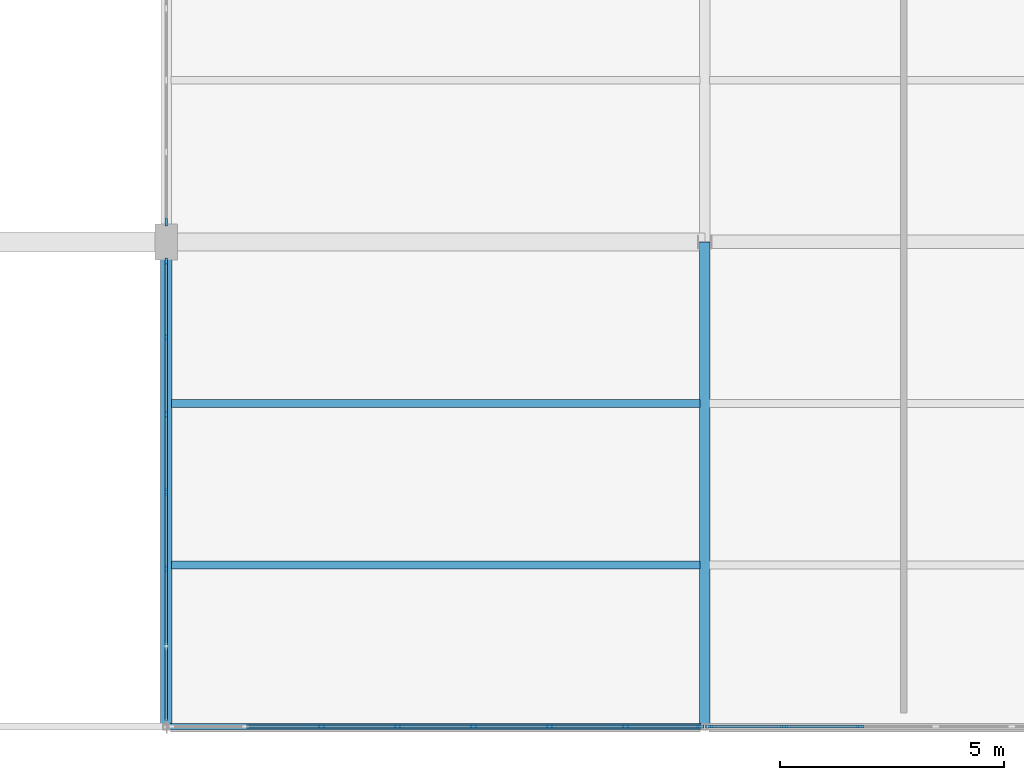
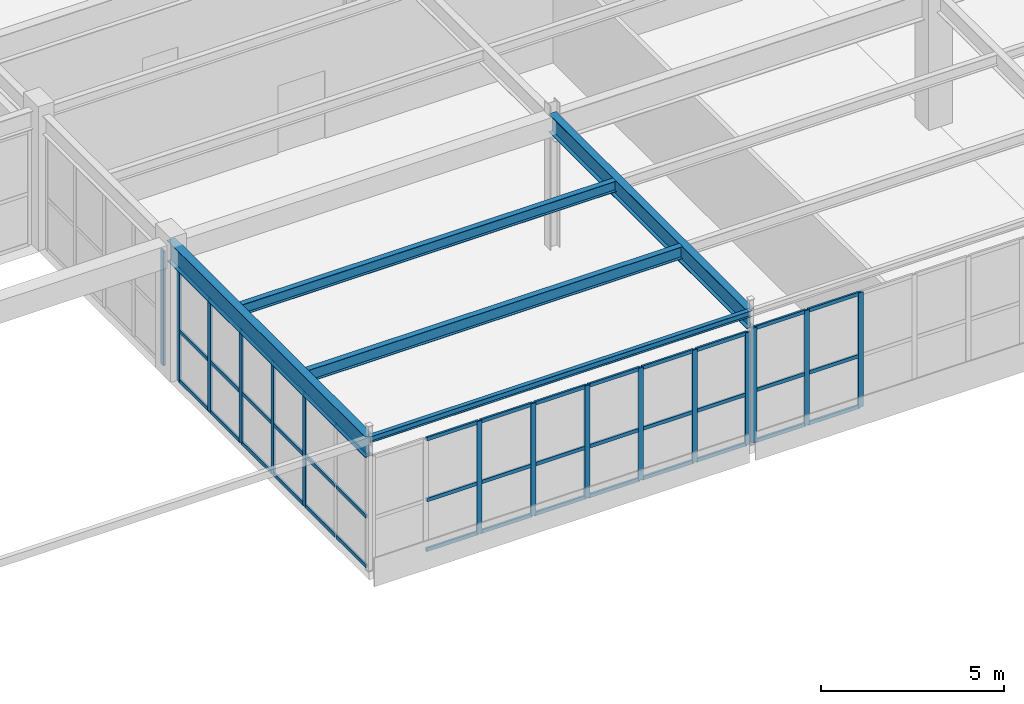
# One storey, part 85 of 186: 57 members, 5 beams, 4 elements without a shape of their own.
"""IFC4 building model written with IfcOpenShell, lengths in metres."""

from ifc_helpers import new_model, si_unit, direction, frame, origin, origin_2d, place, context, subcontext, project, spatial, rectangle, i_section, extrude, material, layer, layer_set, material_profile, profile_set, type_object, element, aggregate, save


model = new_model("IFC4")

# Units and contexts
model_context = context("Model", 3, precision=1e-05, world=origin(), true_north=direction((0.0, 1.0)))
body_context = subcontext(model_context, "Body", "Model", "MODEL_VIEW")
ifc_project = project(units=[si_unit("LENGTHUNIT", "METRE"), si_unit("AREAUNIT", "SQUARE_METRE"), si_unit("VOLUMEUNIT", "CUBIC_METRE"), si_unit("PLANEANGLEUNIT", "RADIAN"), si_unit("MASSUNIT", "GRAM", prefix="KILO")], contexts=[model_context])

# Site, building, storey
site_placement = place(None, origin())
site = spatial("IfcSite", under=ifc_project, at=site_placement, CompositionType="ELEMENT")
building_placement = place(site_placement, origin())
building = spatial("IfcBuilding", under=site, at=building_placement, Name="Tarnwether General Hospital", CompositionType="ELEMENT")
storey_placement = place(building_placement, frame((0.0, 0.0, 9.60009765625)))
storey = spatial("IfcBuildingStorey", under=building, at=storey_placement, Name="L02", CompositionType="ELEMENT", Elevation=9.60009765625)

# Beams
ifc_material_1 = material(Name="Steel Grade 350 (350 MPa)", Category="steel")
ifc_material_profile_1 = material_profile(ifc_material_1, i_section(OverallWidth=0.25, OverallDepth=0.69189453125, WebThickness=0.009033203125, FlangeThickness=0.01611328125, at=origin_2d()), Name="700WB115")
ifc_profile_set_1 = profile_set([ifc_material_profile_1], Name="Steel Grade 350 (350 MPa)")
beam_type_1 = type_object("IfcBeamType", Name="BM-G02", PredefinedType="BEAM", material=ifc_profile_set_1)
beam_1_placement = place(storey_placement, frame((144.0, 0.0, 4.098876953125), z_axis=(0.0, 1.0, 0.0), x_axis=(-1.0, 0.0, 0.0)))
element("IfcBeam", 1, at=beam_1_placement, inside=storey, type_object=beam_type_1, Name="Primary Girder BMG-L02-14400_0-14400_1080-1568", PredefinedType="BEAM", context=body_context, shape_type="SweptSolid", body=[
    extrude(i_section(OverallWidth=0.25, OverallDepth=0.69189453125, WebThickness=0.009033203125, FlangeThickness=0.01611328125, at=origin_2d()), origin(), (0.0, 0.0, 1.0), 10.800048828125),
])
ifc_material_2 = material(Name="Steel Grade 350 (350 MPa)", Category="steel")
ifc_material_profile_2 = material_profile(ifc_material_2, i_section(OverallWidth=0.22900390625, OverallDepth=0.612060546875, WebThickness=0.011962890625, FlangeThickness=0.01953125, at=origin_2d()), Name="610UB125")
ifc_profile_set_2 = profile_set([ifc_material_profile_2], Name="Steel Grade 350 (350 MPa)")
beam_type_2 = type_object("IfcBeamType", Name="BM-G03", PredefinedType="BEAM", material=ifc_profile_set_2)
beam_2_placement = place(storey_placement, frame((156.0, 0.0, 4.138916015625), z_axis=(0.0, 1.0, 0.0), x_axis=(-1.0, 0.0, 0.0)))
element("IfcBeam", 2, at=beam_2_placement, inside=storey, type_object=beam_type_2, Name="Primary Girder BMG-L02-15600_0-15600_1080-1589", PredefinedType="BEAM", context=body_context, shape_type="SweptSolid", body=[
    extrude(i_section(OverallWidth=0.22900390625, OverallDepth=0.612060546875, WebThickness=0.011962890625, FlangeThickness=0.01953125, at=origin_2d()), origin(), (0.0, 0.0, 1.0), 10.800048828125),
])
ifc_material_3 = material(Name="Steel Grade 350 (350 MPa)", Category="steel")
ifc_material_profile_3 = material_profile(ifc_material_3, i_section(OverallWidth=0.177978515625, OverallDepth=0.403076171875, WebThickness=0.007568359375, FlangeThickness=0.010986328125, at=origin_2d()), Name="410UB53.7")
ifc_profile_set_3 = profile_set([ifc_material_profile_3], Name="Steel Grade 350 (350 MPa)")
beam_type_3 = type_object("IfcBeamType", Name="BM-J02", PredefinedType="JOIST", material=ifc_profile_set_3)
beam_3_placement = place(storey_placement, frame((144.118896484375, 3.60009765625, 4.243408203125), z_axis=(1.0, 0.0, 0.0), x_axis=(0.0, 1.0, 0.0)))
element("IfcBeam", 3, at=beam_3_placement, inside=storey, type_object=beam_type_3, Name="Composite Floor Joist BMG-L02-14412_360-15589_360-1706", PredefinedType="JOIST", context=body_context, shape_type="SweptSolid", body=[
    extrude(i_section(OverallWidth=0.177978515625, OverallDepth=0.403076171875, WebThickness=0.007568359375, FlangeThickness=0.010986328125, at=origin_2d()), origin(), (0.0, 0.0, 1.0), 11.773193359375),
])
ifc_material_4 = material(Name="Steel Grade 350 (350 MPa)", Category="steel")
ifc_material_profile_4 = material_profile(ifc_material_4, i_section(OverallWidth=0.172119140625, OverallDepth=0.35888671875, WebThickness=0.008056640625, FlangeThickness=0.012939453125, at=origin_2d()), Name="360UB56.7")
ifc_profile_set_4 = profile_set([ifc_material_profile_4], Name="Steel Grade 350 (350 MPa)")
beam_type_4 = type_object("IfcBeamType", Name="BM-J03", PredefinedType="JOIST", material=ifc_profile_set_4)
beam_4_placement = place(storey_placement, frame((144.118896484375, 7.199951171875, 4.265380859375), z_axis=(1.0, 0.0, 0.0), x_axis=(0.0, 1.0, 0.0)))
element("IfcBeam", 4, at=beam_4_placement, inside=storey, type_object=beam_type_4, Name="Composite Floor Joist BMG-L02-14412_720-15589_720-1707", PredefinedType="JOIST", context=body_context, shape_type="SweptSolid", body=[
    extrude(i_section(OverallWidth=0.172119140625, OverallDepth=0.35888671875, WebThickness=0.008056640625, FlangeThickness=0.012939453125, at=origin_2d()), origin(), (0.0, 0.0, 1.0), 11.773193359375),
])
ifc_material_5 = material(Name="Steel Grade 350 (350 MPa)", Category="steel")
ifc_material_profile_5 = material_profile(ifc_material_5, i_section(OverallWidth=0.133056640625, OverallDepth=0.202880859375, WebThickness=0.005859375, FlangeThickness=0.0078125, at=origin_2d()), Name="200UB25.4")
ifc_profile_set_5 = profile_set([ifc_material_profile_5], Name="Steel Grade 350 (350 MPa)")
beam_type_5 = type_object("IfcBeamType", Name="BM-SP5", PredefinedType="SPANDREL", material=ifc_profile_set_5)
beam_5_placement = place(storey_placement, frame((144.0, 0.0, 4.343505859375), z_axis=(1.0, 0.0, 0.0), x_axis=(0.0, 1.0, 0.0)))
element("IfcBeam", 5, at=beam_5_placement, inside=storey, type_object=beam_type_5, Name="Primary Girder BMG-L02-14400_0-15600_0-1567", PredefinedType="SPANDREL", context=body_context, shape_type="SweptSolid", body=[
    extrude(i_section(OverallWidth=0.133056640625, OverallDepth=0.202880859375, WebThickness=0.005859375, FlangeThickness=0.0078125, at=origin_2d()), origin(), (0.0, 0.0, 1.0), 12.0),
])

# Curtain wall, members
ifc_material_6 = material(Name="Anodised aluminium", Category="aluminium")
ifc_layer_1 = layer(ifc_material_6, 0.159912109375)
ifc_layer_set_1 = layer_set([ifc_layer_1], Name="Anodised aluminium")
curtain_wall_type_1 = type_object("IfcCurtainWallType", Name="CW-15", PredefinedType="NOTDEFINED", material=ifc_layer_set_1)
curtain_wall_1_placement = place(storey_placement, origin())
curtain_wall_1 = element("IfcCurtainWall", 6, at=curtain_wall_1_placement, inside=storey, type_object=curtain_wall_type_1, Name="Curtain Wall CWG-L02-1440_1-0436", PredefinedType="NOTDEFINED")
ifc_material_7 = material(Name="Anodised aluminium", Category="aluminium")
ifc_material_profile_6 = material_profile(ifc_material_7, rectangle(XDim=0.06005859375, YDim=0.159912109375, at=origin_2d()), Name="ALU-MUL-60x160")
ifc_profile_set_6 = profile_set([ifc_material_profile_6], Name="Anodised aluminium")
member_type_1 = type_object("IfcMemberType", Name="CW-ML1", PredefinedType="MULLION", material=ifc_profile_set_6)
member_1_placement = place(storey_placement, frame((144.0, 3.51123046875, 0.0), z_axis=(0.0, 0.0, 1.0), x_axis=(-1.0, 0.0, 0.0)))
member_1 = element("IfcMember", 7, at=member_1_placement, type_object=member_type_1, Name="CW-15 mullion 3", PredefinedType="MULLION", context=body_context, shape_type="SweptSolid", body=[
    extrude(rectangle(XDim=0.06005859375, YDim=0.159912109375, at=origin_2d()), origin(), (0.0, 0.0, 1.0), 3.73779296875),
])
member_2_placement = place(storey_placement, frame((144.0, 5.2314453125, 0.0), z_axis=(0.0, 0.0, 1.0), x_axis=(-1.0, 0.0, 0.0)))
member_2 = element("IfcMember", 8, at=member_2_placement, type_object=member_type_1, Name="CW-15 mullion 4", PredefinedType="MULLION", context=body_context, shape_type="SweptSolid", body=[
    extrude(rectangle(XDim=0.06005859375, YDim=0.159912109375, at=origin_2d()), origin(), (0.0, 0.0, 1.0), 3.73779296875),
])
member_3_placement = place(storey_placement, frame((144.0, 6.95166015625, 0.0), z_axis=(0.0, 0.0, 1.0), x_axis=(-1.0, 0.0, 0.0)))
member_3 = element("IfcMember", 9, at=member_3_placement, type_object=member_type_1, Name="CW-15 mullion 5", PredefinedType="MULLION", context=body_context, shape_type="SweptSolid", body=[
    extrude(rectangle(XDim=0.06005859375, YDim=0.159912109375, at=origin_2d()), origin(), (0.0, 0.0, 1.0), 3.73779296875),
])
member_4_placement = place(storey_placement, frame((144.0, 8.671875, 0.0), z_axis=(0.0, 0.0, 1.0), x_axis=(-1.0, 0.0, 0.0)))
member_4 = element("IfcMember", 10, at=member_4_placement, type_object=member_type_1, Name="CW-15 mullion 6", PredefinedType="MULLION", context=body_context, shape_type="SweptSolid", body=[
    extrude(rectangle(XDim=0.06005859375, YDim=0.159912109375, at=origin_2d()), origin(), (0.0, 0.0, 1.0), 3.73779296875),
])
member_5_placement = place(storey_placement, frame((144.0, 10.362060546875, 0.0), z_axis=(0.0, 0.0, 1.0), x_axis=(-1.0, 0.0, 0.0)))
member_5 = element("IfcMember", 11, at=member_5_placement, type_object=member_type_1, Name="CW-15 mullion 7", PredefinedType="MULLION", context=body_context, shape_type="SweptSolid", body=[
    extrude(rectangle(XDim=0.06005859375, YDim=0.159912109375, at=origin_2d()), origin(), (0.0, 0.0, 1.0), 3.73779296875),
])

# Curtain wall, member
curtain_wall_2_placement = place(storey_placement, origin())
curtain_wall_2 = element("IfcCurtainWall", 12, at=curtain_wall_2_placement, inside=storey, type_object=curtain_wall_type_1, Name="Curtain Wall CWG-L02-1440_112-0437", PredefinedType="NOTDEFINED")
member_6_placement = place(storey_placement, frame((144.0, 11.238037109375, 0.0), z_axis=(0.0, 0.0, 1.0), x_axis=(-1.0, 0.0, 0.0)))
member_6 = element("IfcMember", 13, at=member_6_placement, type_object=member_type_1, Name="CW-15 mullion 1", PredefinedType="MULLION", context=body_context, shape_type="SweptSolid", body=[
    extrude(rectangle(XDim=0.06005859375, YDim=0.159912109375, at=origin_2d()), origin(), (0.0, 0.0, 1.0), 3.81787109375),
])
aggregate(curtain_wall_2, [member_6])

# Curtain wall, members
ifc_material_8 = material(Name="Anodised aluminium", Category="aluminium")
ifc_layer_2 = layer(ifc_material_8, 0.159912109375)
ifc_layer_set_2 = layer_set([ifc_layer_2], Name="Anodised aluminium")
curtain_wall_type_2 = type_object("IfcCurtainWallType", Name="CW-19", PredefinedType="NOTDEFINED", material=ifc_layer_set_2)
curtain_wall_3_placement = place(storey_placement, origin())
curtain_wall_3 = element("IfcCurtainWall", 14, at=curtain_wall_3_placement, inside=storey, type_object=curtain_wall_type_2, Name="Curtain Wall CWG-L02-1679_0-0458", PredefinedType="NOTDEFINED")
member_7_placement = place(storey_placement, frame((159.455322265625, 0.0, 0.0), z_axis=(0.0, 0.0, 1.0), x_axis=(0.0, -1.0, 0.0)))
member_7 = element("IfcMember", 15, at=member_7_placement, type_object=member_type_1, Name="CW-19 mullion 6", PredefinedType="MULLION", context=body_context, shape_type="SweptSolid", body=[
    extrude(rectangle(XDim=0.06005859375, YDim=0.159912109375, at=origin_2d()), origin(), (0.0, 0.0, 1.0), 3.81787109375),
])
member_8_placement = place(storey_placement, frame((157.76318359375, 0.0, 0.0), z_axis=(0.0, 0.0, 1.0), x_axis=(0.0, -1.0, 0.0)))
member_8 = element("IfcMember", 16, at=member_8_placement, type_object=member_type_1, Name="CW-19 mullion 7", PredefinedType="MULLION", context=body_context, shape_type="SweptSolid", body=[
    extrude(rectangle(XDim=0.06005859375, YDim=0.159912109375, at=origin_2d()), origin(), (0.0, 0.0, 1.0), 3.81787109375),
])
member_9_placement = place(storey_placement, frame((156.10107421875, 0.0, 0.0), z_axis=(0.0, 0.0, 1.0), x_axis=(0.0, -1.0, 0.0)))
member_9 = element("IfcMember", 17, at=member_9_placement, type_object=member_type_1, Name="CW-19 mullion 8", PredefinedType="MULLION", context=body_context, shape_type="SweptSolid", body=[
    extrude(rectangle(XDim=0.06005859375, YDim=0.159912109375, at=origin_2d()), origin(), (0.0, 0.0, 1.0), 3.81787109375),
])

curtain_wall_4_placement = place(storey_placement, origin())
curtain_wall_4 = element("IfcCurtainWall", 18, at=curtain_wall_4_placement, inside=storey, type_object=curtain_wall_type_2, Name="Curtain Wall CWG-L02-1559_0-0459", PredefinedType="NOTDEFINED")
member_10_placement = place(storey_placement, frame((155.89892578125, 0.0, 0.0), z_axis=(0.0, 0.0, 1.0), x_axis=(0.0, -1.0, 0.0)))
member_10 = element("IfcMember", 19, at=member_10_placement, type_object=member_type_1, Name="CW-19 mullion 1", PredefinedType="MULLION", context=body_context, shape_type="SweptSolid", body=[
    extrude(rectangle(XDim=0.06005859375, YDim=0.159912109375, at=origin_2d()), origin(), (0.0, 0.0, 1.0), 3.73779296875),
])
member_11_placement = place(storey_placement, frame((154.235107421875, 0.0, 0.0), z_axis=(0.0, 0.0, 1.0), x_axis=(0.0, -1.0, 0.0)))
member_11 = element("IfcMember", 20, at=member_11_placement, type_object=member_type_1, Name="CW-19 mullion 2", PredefinedType="MULLION", context=body_context, shape_type="SweptSolid", body=[
    extrude(rectangle(XDim=0.06005859375, YDim=0.159912109375, at=origin_2d()), origin(), (0.0, 0.0, 1.0), 3.73779296875),
])
member_12_placement = place(storey_placement, frame((152.541015625, 0.0, 0.0), z_axis=(0.0, 0.0, 1.0), x_axis=(0.0, -1.0, 0.0)))
member_12 = element("IfcMember", 21, at=member_12_placement, type_object=member_type_1, Name="CW-19 mullion 3", PredefinedType="MULLION", context=body_context, shape_type="SweptSolid", body=[
    extrude(rectangle(XDim=0.06005859375, YDim=0.159912109375, at=origin_2d()), origin(), (0.0, 0.0, 1.0), 3.73779296875),
])
member_13_placement = place(storey_placement, frame((150.846923828125, 0.0, 0.0), z_axis=(0.0, 0.0, 1.0), x_axis=(0.0, -1.0, 0.0)))
member_13 = element("IfcMember", 22, at=member_13_placement, type_object=member_type_1, Name="CW-19 mullion 4", PredefinedType="MULLION", context=body_context, shape_type="SweptSolid", body=[
    extrude(rectangle(XDim=0.06005859375, YDim=0.159912109375, at=origin_2d()), origin(), (0.0, 0.0, 1.0), 3.73779296875),
])
member_14_placement = place(storey_placement, frame((149.153076171875, 0.0, 0.0), z_axis=(0.0, 0.0, 1.0), x_axis=(0.0, -1.0, 0.0)))
member_14 = element("IfcMember", 23, at=member_14_placement, type_object=member_type_1, Name="CW-19 mullion 5", PredefinedType="MULLION", context=body_context, shape_type="SweptSolid", body=[
    extrude(rectangle(XDim=0.06005859375, YDim=0.159912109375, at=origin_2d()), origin(), (0.0, 0.0, 1.0), 3.73779296875),
])
member_15_placement = place(storey_placement, frame((147.458984375, 0.0, 0.0), z_axis=(0.0, 0.0, 1.0), x_axis=(0.0, -1.0, 0.0)))
member_15 = element("IfcMember", 24, at=member_15_placement, type_object=member_type_1, Name="CW-19 mullion 6", PredefinedType="MULLION", context=body_context, shape_type="SweptSolid", body=[
    extrude(rectangle(XDim=0.06005859375, YDim=0.159912109375, at=origin_2d()), origin(), (0.0, 0.0, 1.0), 3.73779296875),
])

# Member
ifc_material_9 = material(Name="Anodised aluminium", Category="aluminium")
ifc_material_profile_7 = material_profile(ifc_material_9, rectangle(XDim=0.06005859375, YDim=0.1201171875, at=origin_2d()), Name="ALU-TRN-60x120")
ifc_profile_set_7 = profile_set([ifc_material_profile_7], Name="Anodised aluminium")
member_type_2 = type_object("IfcMemberType", Name="CW-TR1", PredefinedType="USERDEFINED", material=ifc_profile_set_7)
member_16_placement = place(storey_placement, frame((144.0, 0.131103515625, 0.02978515625), z_axis=(0.0, 1.0, 0.0), x_axis=(-1.0, 0.0, 0.0)))
member_16 = element("IfcMember", 25, at=member_16_placement, type_object=member_type_2, Name="CW-15 transom 1.1", ObjectType="TRANSOM", PredefinedType="USERDEFINED", context=body_context, shape_type="SweptSolid", body=[
    extrude(rectangle(XDim=0.06005859375, YDim=0.1201171875, at=origin_2d()), origin(), (0.0, 0.0, 1.0), 1.630126953125),
])

member_17_placement = place(storey_placement, frame((144.0, 0.131103515625, 1.681884765625), z_axis=(0.0, 1.0, 0.0), x_axis=(-1.0, 0.0, 0.0)))
member_17 = element("IfcMember", 26, at=member_17_placement, type_object=member_type_2, Name="CW-15 transom 1.2", ObjectType="TRANSOM", PredefinedType="USERDEFINED", context=body_context, shape_type="SweptSolid", body=[
    extrude(rectangle(XDim=0.06005859375, YDim=0.1201171875, at=origin_2d()), origin(), (0.0, 0.0, 1.0), 1.630126953125),
])

member_18_placement = place(storey_placement, frame((144.0, 0.131103515625, 3.7080078125), z_axis=(0.0, 1.0, 0.0), x_axis=(-1.0, 0.0, 0.0)))
member_18 = element("IfcMember", 27, at=member_18_placement, type_object=member_type_2, Name="CW-15 transom 1.3", ObjectType="TRANSOM", PredefinedType="USERDEFINED", context=body_context, shape_type="SweptSolid", body=[
    extrude(rectangle(XDim=0.06005859375, YDim=0.1201171875, at=origin_2d()), origin(), (0.0, 0.0, 1.0), 1.630126953125),
])

member_19_placement = place(storey_placement, frame((144.0, 1.821044921875, 0.02978515625), z_axis=(0.0, 1.0, 0.0), x_axis=(-1.0, 0.0, 0.0)))
member_19 = element("IfcMember", 28, at=member_19_placement, type_object=member_type_2, Name="CW-15 transom 2.1", ObjectType="TRANSOM", PredefinedType="USERDEFINED", context=body_context, shape_type="SweptSolid", body=[
    extrude(rectangle(XDim=0.06005859375, YDim=0.1201171875, at=origin_2d()), origin(), (0.0, 0.0, 1.0), 1.660400390625),
])

member_20_placement = place(storey_placement, frame((144.0, 1.821044921875, 1.681884765625), z_axis=(0.0, 1.0, 0.0), x_axis=(-1.0, 0.0, 0.0)))
member_20 = element("IfcMember", 29, at=member_20_placement, type_object=member_type_2, Name="CW-15 transom 2.2", ObjectType="TRANSOM", PredefinedType="USERDEFINED", context=body_context, shape_type="SweptSolid", body=[
    extrude(rectangle(XDim=0.06005859375, YDim=0.1201171875, at=origin_2d()), origin(), (0.0, 0.0, 1.0), 1.660400390625),
])

member_21_placement = place(storey_placement, frame((144.0, 1.821044921875, 3.7080078125), z_axis=(0.0, 1.0, 0.0), x_axis=(-1.0, 0.0, 0.0)))
member_21 = element("IfcMember", 30, at=member_21_placement, type_object=member_type_2, Name="CW-15 transom 2.3", ObjectType="TRANSOM", PredefinedType="USERDEFINED", context=body_context, shape_type="SweptSolid", body=[
    extrude(rectangle(XDim=0.06005859375, YDim=0.1201171875, at=origin_2d()), origin(), (0.0, 0.0, 1.0), 1.660400390625),
])

member_22_placement = place(storey_placement, frame((144.0, 3.541259765625, 0.02978515625), z_axis=(0.0, 1.0, 0.0), x_axis=(-1.0, 0.0, 0.0)))
member_22 = element("IfcMember", 31, at=member_22_placement, type_object=member_type_2, Name="CW-15 transom 3.1", ObjectType="TRANSOM", PredefinedType="USERDEFINED", context=body_context, shape_type="SweptSolid", body=[
    extrude(rectangle(XDim=0.06005859375, YDim=0.1201171875, at=origin_2d()), origin(), (0.0, 0.0, 1.0), 1.66015625),
])

member_23_placement = place(storey_placement, frame((144.0, 3.541259765625, 1.681884765625), z_axis=(0.0, 1.0, 0.0), x_axis=(-1.0, 0.0, 0.0)))
member_23 = element("IfcMember", 32, at=member_23_placement, type_object=member_type_2, Name="CW-15 transom 3.2", ObjectType="TRANSOM", PredefinedType="USERDEFINED", context=body_context, shape_type="SweptSolid", body=[
    extrude(rectangle(XDim=0.06005859375, YDim=0.1201171875, at=origin_2d()), origin(), (0.0, 0.0, 1.0), 1.66015625),
])

member_24_placement = place(storey_placement, frame((144.0, 3.541259765625, 3.7080078125), z_axis=(0.0, 1.0, 0.0), x_axis=(-1.0, 0.0, 0.0)))
member_24 = element("IfcMember", 33, at=member_24_placement, type_object=member_type_2, Name="CW-15 transom 3.3", ObjectType="TRANSOM", PredefinedType="USERDEFINED", context=body_context, shape_type="SweptSolid", body=[
    extrude(rectangle(XDim=0.06005859375, YDim=0.1201171875, at=origin_2d()), origin(), (0.0, 0.0, 1.0), 1.66015625),
])

member_25_placement = place(storey_placement, frame((144.0, 5.261474609375, 0.02978515625), z_axis=(0.0, 1.0, 0.0), x_axis=(-1.0, 0.0, 0.0)))
member_25 = element("IfcMember", 34, at=member_25_placement, type_object=member_type_2, Name="CW-15 transom 4.1", ObjectType="TRANSOM", PredefinedType="USERDEFINED", context=body_context, shape_type="SweptSolid", body=[
    extrude(rectangle(XDim=0.06005859375, YDim=0.1201171875, at=origin_2d()), origin(), (0.0, 0.0, 1.0), 1.66015625),
])

member_26_placement = place(storey_placement, frame((144.0, 5.261474609375, 1.681884765625), z_axis=(0.0, 1.0, 0.0), x_axis=(-1.0, 0.0, 0.0)))
member_26 = element("IfcMember", 35, at=member_26_placement, type_object=member_type_2, Name="CW-15 transom 4.2", ObjectType="TRANSOM", PredefinedType="USERDEFINED", context=body_context, shape_type="SweptSolid", body=[
    extrude(rectangle(XDim=0.06005859375, YDim=0.1201171875, at=origin_2d()), origin(), (0.0, 0.0, 1.0), 1.66015625),
])

member_27_placement = place(storey_placement, frame((144.0, 5.261474609375, 3.7080078125), z_axis=(0.0, 1.0, 0.0), x_axis=(-1.0, 0.0, 0.0)))
member_27 = element("IfcMember", 36, at=member_27_placement, type_object=member_type_2, Name="CW-15 transom 4.3", ObjectType="TRANSOM", PredefinedType="USERDEFINED", context=body_context, shape_type="SweptSolid", body=[
    extrude(rectangle(XDim=0.06005859375, YDim=0.1201171875, at=origin_2d()), origin(), (0.0, 0.0, 1.0), 1.66015625),
])

member_28_placement = place(storey_placement, frame((144.0, 6.981689453125, 0.02978515625), z_axis=(0.0, 1.0, 0.0), x_axis=(-1.0, 0.0, 0.0)))
member_28 = element("IfcMember", 37, at=member_28_placement, type_object=member_type_2, Name="CW-15 transom 5.1", ObjectType="TRANSOM", PredefinedType="USERDEFINED", context=body_context, shape_type="SweptSolid", body=[
    extrude(rectangle(XDim=0.06005859375, YDim=0.1201171875, at=origin_2d()), origin(), (0.0, 0.0, 1.0), 1.66015625),
])

member_29_placement = place(storey_placement, frame((144.0, 6.981689453125, 1.681884765625), z_axis=(0.0, 1.0, 0.0), x_axis=(-1.0, 0.0, 0.0)))
member_29 = element("IfcMember", 38, at=member_29_placement, type_object=member_type_2, Name="CW-15 transom 5.2", ObjectType="TRANSOM", PredefinedType="USERDEFINED", context=body_context, shape_type="SweptSolid", body=[
    extrude(rectangle(XDim=0.06005859375, YDim=0.1201171875, at=origin_2d()), origin(), (0.0, 0.0, 1.0), 1.66015625),
])

member_30_placement = place(storey_placement, frame((144.0, 6.981689453125, 3.7080078125), z_axis=(0.0, 1.0, 0.0), x_axis=(-1.0, 0.0, 0.0)))
member_30 = element("IfcMember", 39, at=member_30_placement, type_object=member_type_2, Name="CW-15 transom 5.3", ObjectType="TRANSOM", PredefinedType="USERDEFINED", context=body_context, shape_type="SweptSolid", body=[
    extrude(rectangle(XDim=0.06005859375, YDim=0.1201171875, at=origin_2d()), origin(), (0.0, 0.0, 1.0), 1.66015625),
])

member_31_placement = place(storey_placement, frame((144.0, 8.701904296875, 0.02978515625), z_axis=(0.0, 1.0, 0.0), x_axis=(-1.0, 0.0, 0.0)))
member_31 = element("IfcMember", 40, at=member_31_placement, type_object=member_type_2, Name="CW-15 transom 6.1", ObjectType="TRANSOM", PredefinedType="USERDEFINED", context=body_context, shape_type="SweptSolid", body=[
    extrude(rectangle(XDim=0.06005859375, YDim=0.1201171875, at=origin_2d()), origin(), (0.0, 0.0, 1.0), 1.630126953125),
])

member_32_placement = place(storey_placement, frame((144.0, 8.701904296875, 1.681884765625), z_axis=(0.0, 1.0, 0.0), x_axis=(-1.0, 0.0, 0.0)))
member_32 = element("IfcMember", 41, at=member_32_placement, type_object=member_type_2, Name="CW-15 transom 6.2", ObjectType="TRANSOM", PredefinedType="USERDEFINED", context=body_context, shape_type="SweptSolid", body=[
    extrude(rectangle(XDim=0.06005859375, YDim=0.1201171875, at=origin_2d()), origin(), (0.0, 0.0, 1.0), 1.630126953125),
])

member_33_placement = place(storey_placement, frame((144.0, 8.701904296875, 3.7080078125), z_axis=(0.0, 1.0, 0.0), x_axis=(-1.0, 0.0, 0.0)))
member_33 = element("IfcMember", 42, at=member_33_placement, type_object=member_type_2, Name="CW-15 transom 6.3", ObjectType="TRANSOM", PredefinedType="USERDEFINED", context=body_context, shape_type="SweptSolid", body=[
    extrude(rectangle(XDim=0.06005859375, YDim=0.1201171875, at=origin_2d()), origin(), (0.0, 0.0, 1.0), 1.630126953125),
])

aggregate(curtain_wall_1, [member_1, member_2, member_3, member_4, member_5, member_16, member_17, member_18, member_19, member_20, member_21, member_22, member_23, member_24, member_25, member_26, member_27, member_28, member_29, member_30, member_31, member_32, member_33])

member_34_placement = place(storey_placement, frame((159.42529296875, 0.0, 0.02978515625), z_axis=(-1.0, 0.0, 0.0), x_axis=(0.0, -1.0, 0.0)))
member_34 = element("IfcMember", 43, at=member_34_placement, type_object=member_type_2, Name="CW-19 transom 6.1", ObjectType="TRANSOM", PredefinedType="USERDEFINED", context=body_context, shape_type="SweptSolid", body=[
    extrude(rectangle(XDim=0.06005859375, YDim=0.1201171875, at=origin_2d()), origin(), (0.0, 0.0, 1.0), 1.632080078125),
])

member_35_placement = place(storey_placement, frame((159.42529296875, 0.0, 1.718017578125), z_axis=(-1.0, 0.0, 0.0), x_axis=(0.0, -1.0, 0.0)))
member_35 = element("IfcMember", 44, at=member_35_placement, type_object=member_type_2, Name="CW-19 transom 6.2", ObjectType="TRANSOM", PredefinedType="USERDEFINED", context=body_context, shape_type="SweptSolid", body=[
    extrude(rectangle(XDim=0.06005859375, YDim=0.1201171875, at=origin_2d()), origin(), (0.0, 0.0, 1.0), 1.632080078125),
])

member_36_placement = place(storey_placement, frame((159.42529296875, 0.0, 3.787841796875), z_axis=(-1.0, 0.0, 0.0), x_axis=(0.0, -1.0, 0.0)))
member_36 = element("IfcMember", 45, at=member_36_placement, type_object=member_type_2, Name="CW-19 transom 6.3", ObjectType="TRANSOM", PredefinedType="USERDEFINED", context=body_context, shape_type="SweptSolid", body=[
    extrude(rectangle(XDim=0.06005859375, YDim=0.1201171875, at=origin_2d()), origin(), (0.0, 0.0, 1.0), 1.632080078125),
])

member_37_placement = place(storey_placement, frame((157.733154296875, 0.0, 0.02978515625), z_axis=(-1.0, 0.0, 0.0), x_axis=(0.0, -1.0, 0.0)))
member_37 = element("IfcMember", 46, at=member_37_placement, type_object=member_type_2, Name="CW-19 transom 7.1", ObjectType="TRANSOM", PredefinedType="USERDEFINED", context=body_context, shape_type="SweptSolid", body=[
    extrude(rectangle(XDim=0.06005859375, YDim=0.1201171875, at=origin_2d()), origin(), (0.0, 0.0, 1.0), 1.60205078125),
])

member_38_placement = place(storey_placement, frame((157.733154296875, 0.0, 1.718017578125), z_axis=(-1.0, 0.0, 0.0), x_axis=(0.0, -1.0, 0.0)))
member_38 = element("IfcMember", 47, at=member_38_placement, type_object=member_type_2, Name="CW-19 transom 7.2", ObjectType="TRANSOM", PredefinedType="USERDEFINED", context=body_context, shape_type="SweptSolid", body=[
    extrude(rectangle(XDim=0.06005859375, YDim=0.1201171875, at=origin_2d()), origin(), (0.0, 0.0, 1.0), 1.60205078125),
])

member_39_placement = place(storey_placement, frame((157.733154296875, 0.0, 3.787841796875), z_axis=(-1.0, 0.0, 0.0), x_axis=(0.0, -1.0, 0.0)))
member_39 = element("IfcMember", 48, at=member_39_placement, type_object=member_type_2, Name="CW-19 transom 7.3", ObjectType="TRANSOM", PredefinedType="USERDEFINED", context=body_context, shape_type="SweptSolid", body=[
    extrude(rectangle(XDim=0.06005859375, YDim=0.1201171875, at=origin_2d()), origin(), (0.0, 0.0, 1.0), 1.60205078125),
])

aggregate(curtain_wall_3, [member_7, member_8, member_9, member_34, member_35, member_36, member_37, member_38, member_39])

member_40_placement = place(storey_placement, frame((155.868896484375, 0.0, 0.02978515625), z_axis=(-1.0, 0.0, 0.0), x_axis=(0.0, -1.0, 0.0)))
member_40 = element("IfcMember", 49, at=member_40_placement, type_object=member_type_2, Name="CW-19 transom 1.1", ObjectType="TRANSOM", PredefinedType="USERDEFINED", context=body_context, shape_type="SweptSolid", body=[
    extrude(rectangle(XDim=0.06005859375, YDim=0.1201171875, at=origin_2d()), origin(), (0.0, 0.0, 1.0), 1.60400390625),
])

member_41_placement = place(storey_placement, frame((155.868896484375, 0.0, 1.681884765625), z_axis=(-1.0, 0.0, 0.0), x_axis=(0.0, -1.0, 0.0)))
member_41 = element("IfcMember", 50, at=member_41_placement, type_object=member_type_2, Name="CW-19 transom 1.2", ObjectType="TRANSOM", PredefinedType="USERDEFINED", context=body_context, shape_type="SweptSolid", body=[
    extrude(rectangle(XDim=0.06005859375, YDim=0.1201171875, at=origin_2d()), origin(), (0.0, 0.0, 1.0), 1.60400390625),
])

member_42_placement = place(storey_placement, frame((155.868896484375, 0.0, 3.7080078125), z_axis=(-1.0, 0.0, 0.0), x_axis=(0.0, -1.0, 0.0)))
member_42 = element("IfcMember", 51, at=member_42_placement, type_object=member_type_2, Name="CW-19 transom 1.3", ObjectType="TRANSOM", PredefinedType="USERDEFINED", context=body_context, shape_type="SweptSolid", body=[
    extrude(rectangle(XDim=0.06005859375, YDim=0.1201171875, at=origin_2d()), origin(), (0.0, 0.0, 1.0), 1.60400390625),
])

member_43_placement = place(storey_placement, frame((154.205078125, 0.0, 0.02978515625), z_axis=(-1.0, 0.0, 0.0), x_axis=(0.0, -1.0, 0.0)))
member_43 = element("IfcMember", 52, at=member_43_placement, type_object=member_type_2, Name="CW-19 transom 2.1", ObjectType="TRANSOM", PredefinedType="USERDEFINED", context=body_context, shape_type="SweptSolid", body=[
    extrude(rectangle(XDim=0.06005859375, YDim=0.1201171875, at=origin_2d()), origin(), (0.0, 0.0, 1.0), 1.634033203125),
])

member_44_placement = place(storey_placement, frame((154.205078125, 0.0, 1.681884765625), z_axis=(-1.0, 0.0, 0.0), x_axis=(0.0, -1.0, 0.0)))
member_44 = element("IfcMember", 53, at=member_44_placement, type_object=member_type_2, Name="CW-19 transom 2.2", ObjectType="TRANSOM", PredefinedType="USERDEFINED", context=body_context, shape_type="SweptSolid", body=[
    extrude(rectangle(XDim=0.06005859375, YDim=0.1201171875, at=origin_2d()), origin(), (0.0, 0.0, 1.0), 1.634033203125),
])

member_45_placement = place(storey_placement, frame((154.205078125, 0.0, 3.7080078125), z_axis=(-1.0, 0.0, 0.0), x_axis=(0.0, -1.0, 0.0)))
member_45 = element("IfcMember", 54, at=member_45_placement, type_object=member_type_2, Name="CW-19 transom 2.3", ObjectType="TRANSOM", PredefinedType="USERDEFINED", context=body_context, shape_type="SweptSolid", body=[
    extrude(rectangle(XDim=0.06005859375, YDim=0.1201171875, at=origin_2d()), origin(), (0.0, 0.0, 1.0), 1.634033203125),
])

member_46_placement = place(storey_placement, frame((152.510986328125, 0.0, 0.02978515625), z_axis=(-1.0, 0.0, 0.0), x_axis=(0.0, -1.0, 0.0)))
member_46 = element("IfcMember", 55, at=member_46_placement, type_object=member_type_2, Name="CW-19 transom 3.1", ObjectType="TRANSOM", PredefinedType="USERDEFINED", context=body_context, shape_type="SweptSolid", body=[
    extrude(rectangle(XDim=0.06005859375, YDim=0.1201171875, at=origin_2d()), origin(), (0.0, 0.0, 1.0), 1.634033203125),
])

member_47_placement = place(storey_placement, frame((152.510986328125, 0.0, 1.681884765625), z_axis=(-1.0, 0.0, 0.0), x_axis=(0.0, -1.0, 0.0)))
member_47 = element("IfcMember", 56, at=member_47_placement, type_object=member_type_2, Name="CW-19 transom 3.2", ObjectType="TRANSOM", PredefinedType="USERDEFINED", context=body_context, shape_type="SweptSolid", body=[
    extrude(rectangle(XDim=0.06005859375, YDim=0.1201171875, at=origin_2d()), origin(), (0.0, 0.0, 1.0), 1.634033203125),
])

member_48_placement = place(storey_placement, frame((152.510986328125, 0.0, 3.7080078125), z_axis=(-1.0, 0.0, 0.0), x_axis=(0.0, -1.0, 0.0)))
member_48 = element("IfcMember", 57, at=member_48_placement, type_object=member_type_2, Name="CW-19 transom 3.3", ObjectType="TRANSOM", PredefinedType="USERDEFINED", context=body_context, shape_type="SweptSolid", body=[
    extrude(rectangle(XDim=0.06005859375, YDim=0.1201171875, at=origin_2d()), origin(), (0.0, 0.0, 1.0), 1.634033203125),
])

member_49_placement = place(storey_placement, frame((150.81689453125, 0.0, 0.02978515625), z_axis=(-1.0, 0.0, 0.0), x_axis=(0.0, -1.0, 0.0)))
member_49 = element("IfcMember", 58, at=member_49_placement, type_object=member_type_2, Name="CW-19 transom 4.1", ObjectType="TRANSOM", PredefinedType="USERDEFINED", context=body_context, shape_type="SweptSolid", body=[
    extrude(rectangle(XDim=0.06005859375, YDim=0.1201171875, at=origin_2d()), origin(), (0.0, 0.0, 1.0), 1.6337890625),
])

member_50_placement = place(storey_placement, frame((150.81689453125, 0.0, 1.681884765625), z_axis=(-1.0, 0.0, 0.0), x_axis=(0.0, -1.0, 0.0)))
member_50 = element("IfcMember", 59, at=member_50_placement, type_object=member_type_2, Name="CW-19 transom 4.2", ObjectType="TRANSOM", PredefinedType="USERDEFINED", context=body_context, shape_type="SweptSolid", body=[
    extrude(rectangle(XDim=0.06005859375, YDim=0.1201171875, at=origin_2d()), origin(), (0.0, 0.0, 1.0), 1.6337890625),
])

member_51_placement = place(storey_placement, frame((150.81689453125, 0.0, 3.7080078125), z_axis=(-1.0, 0.0, 0.0), x_axis=(0.0, -1.0, 0.0)))
member_51 = element("IfcMember", 60, at=member_51_placement, type_object=member_type_2, Name="CW-19 transom 4.3", ObjectType="TRANSOM", PredefinedType="USERDEFINED", context=body_context, shape_type="SweptSolid", body=[
    extrude(rectangle(XDim=0.06005859375, YDim=0.1201171875, at=origin_2d()), origin(), (0.0, 0.0, 1.0), 1.6337890625),
])

member_52_placement = place(storey_placement, frame((149.123046875, 0.0, 0.02978515625), z_axis=(-1.0, 0.0, 0.0), x_axis=(0.0, -1.0, 0.0)))
member_52 = element("IfcMember", 61, at=member_52_placement, type_object=member_type_2, Name="CW-19 transom 5.1", ObjectType="TRANSOM", PredefinedType="USERDEFINED", context=body_context, shape_type="SweptSolid", body=[
    extrude(rectangle(XDim=0.06005859375, YDim=0.1201171875, at=origin_2d()), origin(), (0.0, 0.0, 1.0), 1.634033203125),
])

member_53_placement = place(storey_placement, frame((149.123046875, 0.0, 1.681884765625), z_axis=(-1.0, 0.0, 0.0), x_axis=(0.0, -1.0, 0.0)))
member_53 = element("IfcMember", 62, at=member_53_placement, type_object=member_type_2, Name="CW-19 transom 5.2", ObjectType="TRANSOM", PredefinedType="USERDEFINED", context=body_context, shape_type="SweptSolid", body=[
    extrude(rectangle(XDim=0.06005859375, YDim=0.1201171875, at=origin_2d()), origin(), (0.0, 0.0, 1.0), 1.634033203125),
])

member_54_placement = place(storey_placement, frame((149.123046875, 0.0, 3.7080078125), z_axis=(-1.0, 0.0, 0.0), x_axis=(0.0, -1.0, 0.0)))
member_54 = element("IfcMember", 63, at=member_54_placement, type_object=member_type_2, Name="CW-19 transom 5.3", ObjectType="TRANSOM", PredefinedType="USERDEFINED", context=body_context, shape_type="SweptSolid", body=[
    extrude(rectangle(XDim=0.06005859375, YDim=0.1201171875, at=origin_2d()), origin(), (0.0, 0.0, 1.0), 1.634033203125),
])

member_55_placement = place(storey_placement, frame((147.428955078125, 0.0, 0.02978515625), z_axis=(-1.0, 0.0, 0.0), x_axis=(0.0, -1.0, 0.0)))
member_55 = element("IfcMember", 64, at=member_55_placement, type_object=member_type_2, Name="CW-19 transom 6.1", ObjectType="TRANSOM", PredefinedType="USERDEFINED", context=body_context, shape_type="SweptSolid", body=[
    extrude(rectangle(XDim=0.06005859375, YDim=0.1201171875, at=origin_2d()), origin(), (0.0, 0.0, 1.0), 1.634033203125),
])

member_56_placement = place(storey_placement, frame((147.428955078125, 0.0, 1.681884765625), z_axis=(-1.0, 0.0, 0.0), x_axis=(0.0, -1.0, 0.0)))
member_56 = element("IfcMember", 65, at=member_56_placement, type_object=member_type_2, Name="CW-19 transom 6.2", ObjectType="TRANSOM", PredefinedType="USERDEFINED", context=body_context, shape_type="SweptSolid", body=[
    extrude(rectangle(XDim=0.06005859375, YDim=0.1201171875, at=origin_2d()), origin(), (0.0, 0.0, 1.0), 1.634033203125),
])

member_57_placement = place(storey_placement, frame((147.428955078125, 0.0, 3.7080078125), z_axis=(-1.0, 0.0, 0.0), x_axis=(0.0, -1.0, 0.0)))
member_57 = element("IfcMember", 66, at=member_57_placement, type_object=member_type_2, Name="CW-19 transom 6.3", ObjectType="TRANSOM", PredefinedType="USERDEFINED", context=body_context, shape_type="SweptSolid", body=[
    extrude(rectangle(XDim=0.06005859375, YDim=0.1201171875, at=origin_2d()), origin(), (0.0, 0.0, 1.0), 1.634033203125),
])

aggregate(curtain_wall_4, [member_10, member_11, member_12, member_13, member_14, member_15, member_40, member_41, member_42, member_43, member_44, member_45, member_46, member_47, member_48, member_49, member_50, member_51, member_52, member_53, member_54, member_55, member_56, member_57])

save(model, "model.ifc")
